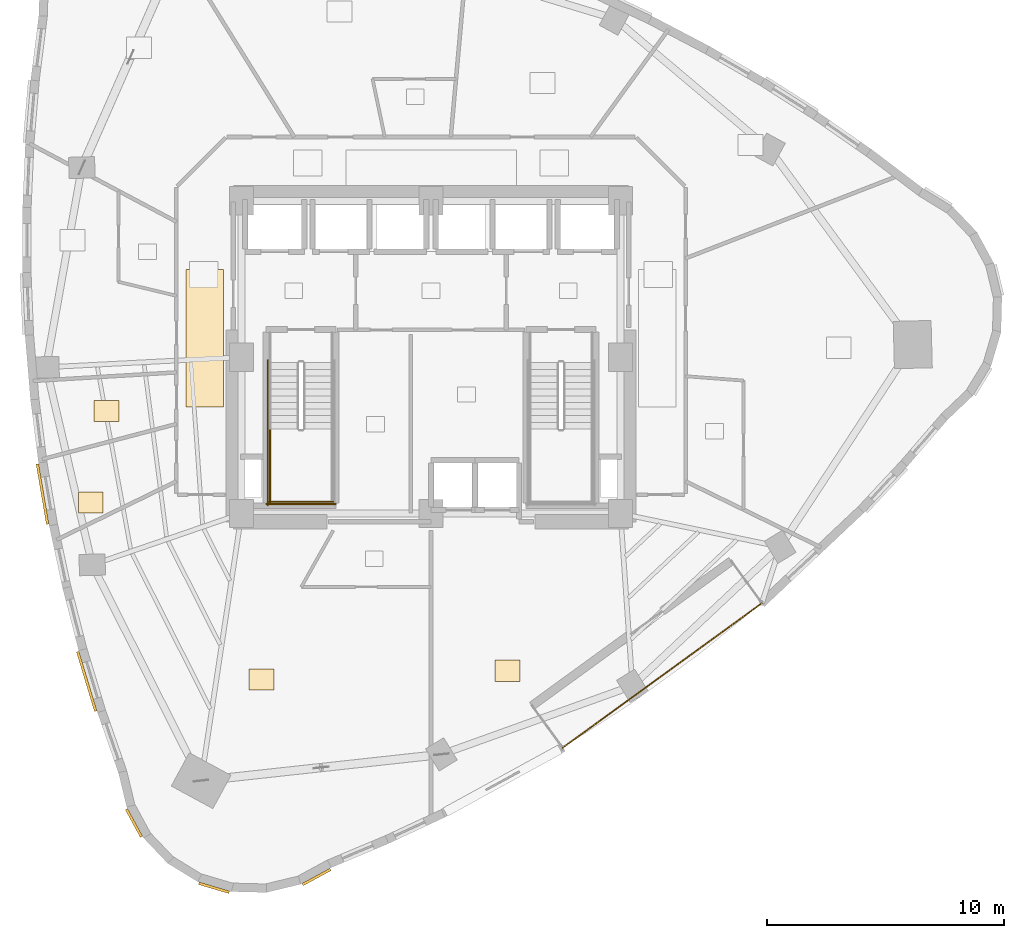
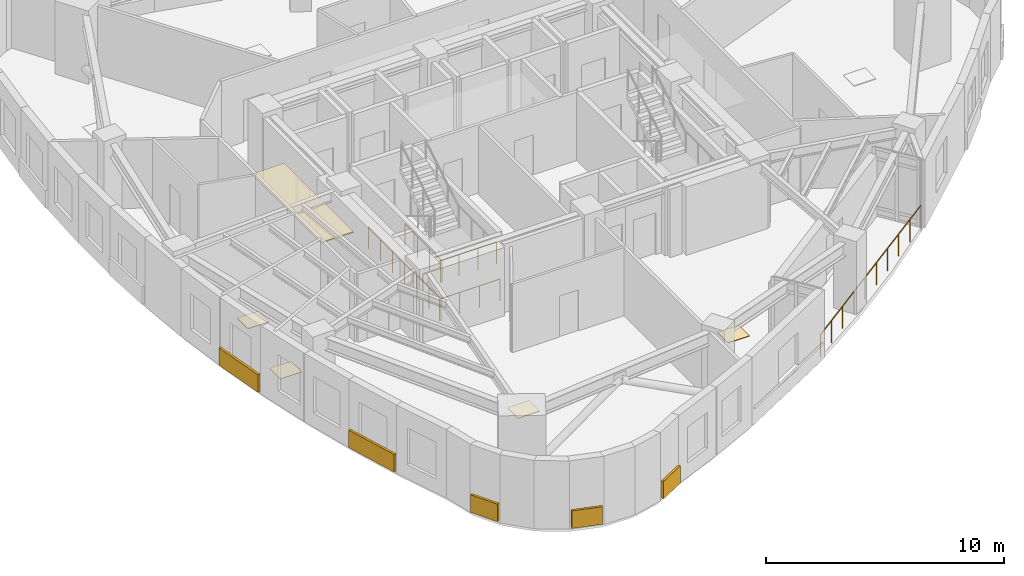
# One storey, part 10 of 12: 10 coverings, 5 railings.
"""IFC4 building model written with IfcOpenShell, lengths in metres."""

import ifcopenshell
import ifcopenshell.guid

model = None  # the IFC model being written
_history = None  # IfcOwnerHistory: only IFC2X3 demands one
_inside = {}  # id of a spatial element -> (the spatial element, [elements in it])
_under = {}  # id of a project, library or spatial element -> (it, [spatial elements below it])
_declared = {}  # id of a project -> (the project, [libraries it declares])
_typed = {}  # id of a type object -> (the type object, [elements of that type])
_made_of = {}  # id of a material, layer set ... -> (it, [elements and type objects made of it])


def new_model(schema):
    """Start an empty IFC model of exactly this schema.

    Asked for "IFC4X3", IfcOpenShell would pick the latest addendum, in which some entities
    have other attributes; the version numbers below select the first issue.
    IFC2X3 requires an IfcOwnerHistory on every rooted entity: one is made here for all.
    """
    global model, _history
    if schema == "IFC4X3":
        model = ifcopenshell.file(schema_version=(4, 3, 0, 0))
    else:
        model = ifcopenshell.file(schema=schema)
    _inside.clear()
    _under.clear()
    _declared.clear()
    _typed.clear()
    _made_of.clear()
    _history = None
    if model.schema == "IFC2X3":
        org = make("IfcOrganization", Name="unknown")
        user = make(
            "IfcPersonAndOrganization",
            ThePerson=make("IfcPerson", FamilyName="unknown"),
            TheOrganization=org,
        )
        app = make(
            "IfcApplication",
            ApplicationDeveloper=org,
            Version="unknown",
            ApplicationFullName="unknown",
            ApplicationIdentifier="unknown",
        )
        _history = make(
            "IfcOwnerHistory",
            OwningUser=user,
            OwningApplication=app,
            ChangeAction="ADDED",
            CreationDate=0,
        )
    return model


def make(cls, **values):
    """One entity of the class cls with the attributes given. An attribute that is None is left unset."""
    return model.create_entity(
        cls, **{name: value for name, value in values.items() if value is not None}
    )


def rooted(cls, **values):
    """An entity with a GlobalId (a new one), such as an element, a storey or a relation."""
    return make(cls, GlobalId=ifcopenshell.guid.new(), OwnerHistory=_history, **values)


def si_unit(unit_type, name, prefix=None):
    """IfcSIUnit, for example si_unit("LENGTHUNIT", "METRE", prefix="MILLI")."""
    return make("IfcSIUnit", UnitType=unit_type, Prefix=prefix, Name=name)


def assignment(units):
    """IfcUnitAssignment: the units of a project."""
    return None if units is None else make("IfcUnitAssignment", Units=units)


def point(xyz):
    """IfcCartesianPoint."""
    return None if xyz is None else make("IfcCartesianPoint", Coordinates=xyz)


def direction(xyz):
    """IfcDirection."""
    return None if xyz is None else make("IfcDirection", DirectionRatios=xyz)


def frame(location, z_axis=None, x_axis=None):
    """IfcAxis2Placement3D, a coordinate frame: its origin and axes. An axis left out is left unset."""
    return make(
        "IfcAxis2Placement3D",
        Location=point(location),
        Axis=direction(z_axis),
        RefDirection=direction(x_axis),
    )


def frame_2d(location, x_axis=None):
    """IfcAxis2Placement2D, a coordinate frame in the plane: its origin and x axis."""
    return make(
        "IfcAxis2Placement2D", Location=point(location), RefDirection=direction(x_axis)
    )


def origin():
    """The frame at (0, 0, 0) with its axes left unset."""
    return frame((0.0, 0.0, 0.0))


def origin_2d():
    """The frame at (0, 0) in the plane with its x axis left unset."""
    return frame_2d((0.0, 0.0))


def place(relative_to, where):
    """IfcLocalPlacement: puts the frame where relative to a parent placement (None: the world)."""
    return make(
        "IfcLocalPlacement", PlacementRelTo=relative_to, RelativePlacement=where
    )


def context(
    kind, dimensions, precision=None, world=None, true_north=None, identifier=None
):
    """IfcGeometricRepresentationContext, for example the 3D "Model" context."""
    return make(
        "IfcGeometricRepresentationContext",
        ContextIdentifier=identifier,
        ContextType=kind,
        CoordinateSpaceDimension=dimensions,
        Precision=precision,
        WorldCoordinateSystem=world,
        TrueNorth=true_north,
    )


def subcontext(parent, identifier, kind, view, scale=None):
    """IfcGeometricRepresentationSubContext, for example "Body" below "Model"."""
    return make(
        "IfcGeometricRepresentationSubContext",
        ContextIdentifier=identifier,
        ContextType=kind,
        ParentContext=parent,
        TargetScale=scale,
        TargetView=view,
    )


def project(units=None, contexts=None):
    """IfcProject with its units and contexts."""
    return rooted(
        "IfcProject",
        Name="project",
        RepresentationContexts=contexts,
        UnitsInContext=assignment(units),
    )


def spatial(cls, under=None, at=None, **own):
    """A site, building, storey or space (cls), placed at a placement, below another one or the project."""
    s = rooted(cls, ObjectPlacement=at, **own)
    if under is not None:
        _under.setdefault(under.id(), (under, []))[1].append(s)
    return s


def profile(cls, at=None, kind="AREA", **sizes):
    """A parametric profile (cls). Its sizes go by their IFC names, for example OverallWidth=200.0."""
    return make(cls, ProfileType=kind, Position=at, **sizes)


def rectangle(**sizes):
    """IfcRectangleProfileDef."""
    return profile("IfcRectangleProfileDef", **sizes)


def circle(**sizes):
    """IfcCircleProfileDef."""
    return profile("IfcCircleProfileDef", **sizes)


def extrude(swept, where, along, depth):
    """IfcExtrudedAreaSolid: the profile swept, set in the frame where, extruded along a direction by depth."""
    return make(
        "IfcExtrudedAreaSolid",
        SweptArea=swept,
        Position=where,
        ExtrudedDirection=direction(along),
        Depth=depth,
    )


def shape(context_of_items, identifier, shape_type, items):
    """IfcShapeRepresentation: the items that make up one representation, for example the "Body"."""
    return make(
        "IfcShapeRepresentation",
        ContextOfItems=context_of_items,
        RepresentationIdentifier=identifier,
        RepresentationType=shape_type,
        Items=items,
    )


def material(Name=None, Category=None):
    """IfcMaterial."""
    return make("IfcMaterial", Name=Name, Category=Category)


def layer(
    of_material, thickness, ventilated=None, Name=None, Category=None, Priority=None
):
    """IfcMaterialLayer: one layer of a wall or slab, of a material (None: an air gap)."""
    return make(
        "IfcMaterialLayer",
        Material=of_material,
        LayerThickness=thickness,
        IsVentilated=ventilated,
        Name=Name,
        Category=Category,
        Priority=Priority,
    )


def layer_set(layers, Name=None):
    """IfcMaterialLayerSet."""
    return make("IfcMaterialLayerSet", MaterialLayers=layers, LayerSetName=Name)


def made_of(thing, what):
    """Note that an element or type object is made of a material, layer set ...; save() writes the relation."""
    if what is not None:
        _made_of.setdefault(what.id(), (what, []))[1].append(thing)
    return thing


def type_object(cls, material=None, **own):
    """A type object (cls), such as IfcWallType, which elements share."""
    return made_of(rooted(cls, **own), material)


def element(
    cls,
    number,
    at=None,
    inside=None,
    cuts=None,
    type_object=None,
    material=None,
    context=None,
    identifier="Body",
    shape_type=None,
    held_by="IfcProductDefinitionShape",
    body=None,
    shapes=None,
    **own,
):
    """One element of the class cls, such as IfcWall. Its Tag is "e" and its number.

    at: its placement. inside: the storey or other place that contains it. cuts: it is an
    opening in that element (IfcRelVoidsElement). A single representation is given by context,
    identifier, shape_type and body (its items); several are given by shapes. held_by: the class
    of the entity that holds the representations. save() writes the other relations.
    """
    e = rooted(cls, Tag="e%d" % number, ObjectPlacement=at, **own)
    if body is not None:
        shapes = [shape(context, identifier, shape_type, body)]
    if shapes is not None:
        e.Representation = make(held_by, Representations=shapes)
    if inside is not None:
        _inside.setdefault(inside.id(), (inside, []))[1].append(e)
    if cuts is not None:
        rooted(
            "IfcRelVoidsElement", RelatingBuildingElement=cuts, RelatedOpeningElement=e
        )
    if type_object is not None:
        _typed.setdefault(type_object.id(), (type_object, []))[1].append(e)
    return made_of(e, material)


def aggregate(whole, parts):
    """IfcRelAggregates: a whole, such as a stair, and the parts it consists of."""
    return rooted("IfcRelAggregates", RelatingObject=whole, RelatedObjects=parts)


def save(model, path):
    """Write the relations noted so far, then the file.

    IfcRelAggregates (storeys below a building ...), IfcRelContainedInSpatialStructure (elements
    in a storey), IfcRelDefinesByType, IfcRelAssociatesMaterial and IfcRelDeclares: one each for
    every whole, place, type object, material and project.
    """
    for whole, parts in _under.values():
        aggregate(whole, parts)
    for where, things in _inside.values():
        rooted(
            "IfcRelContainedInSpatialStructure",
            RelatedElements=things,
            RelatingStructure=where,
        )
    for kind, things in _typed.values():
        rooted("IfcRelDefinesByType", RelatedObjects=things, RelatingType=kind)
    for what, things in _made_of.values():
        rooted("IfcRelAssociatesMaterial", RelatedObjects=things, RelatingMaterial=what)
    for by, libraries in _declared.values():
        rooted("IfcRelDeclares", RelatingContext=by, RelatedDefinitions=libraries)
    model.write(path)


model = new_model("IFC4")

# Units and contexts
model_context = context("Model", 3, precision=1e-05, world=origin(), true_north=direction((0.0, 1.0)))
body_context = subcontext(model_context, "Body", "Model", "MODEL_VIEW")
ifc_project = project(units=[si_unit("LENGTHUNIT", "METRE"), si_unit("AREAUNIT", "SQUARE_METRE"), si_unit("VOLUMEUNIT", "CUBIC_METRE"), si_unit("PLANEANGLEUNIT", "RADIAN"), si_unit("MASSUNIT", "GRAM", prefix="KILO")], contexts=[model_context])

# Site, building, storey
site_placement = place(None, origin())
site = spatial("IfcSite", under=ifc_project, at=site_placement, CompositionType="ELEMENT")
building_placement = place(site_placement, origin())
building = spatial("IfcBuilding", under=site, at=building_placement, Name="Ndelora Gate Hotel", CompositionType="ELEMENT")
storey_placement = place(building_placement, frame((0.0, 0.0, 142.25)))
storey = spatial("IfcBuildingStorey", under=building, at=storey_placement, Name="L35", CompositionType="ELEMENT", Elevation=142.25)

# Coverings
ifc_material_1 = material(Name="Perforated Acoustic Gypsum Board", Category="gypsum")
ifc_layer_1 = layer(ifc_material_1, 0.054931640625)
ifc_layer_set_1 = layer_set([ifc_layer_1], Name="Perforated Acoustic Gypsum Board")
covering_type_1 = type_object("IfcCoveringType", Name="COV-CEIL-AC60", PredefinedType="CEILING", material=ifc_layer_set_1)
covering_1_placement = place(storey_placement, frame((-9.550048828125, 0.800048828125, 2.65234375), z_axis=(0.0, 0.0, 1.0), x_axis=(1.0, 0.0, 0.0)))
element("IfcCovering", 1, at=covering_1_placement, inside=storey, type_object=covering_type_1, Name="L35 Guest Corridor Acoustic Ceiling W", PredefinedType="CEILING", context=body_context, shape_type="SweptSolid", body=[
    extrude(rectangle(XDim=1.580078125, YDim=5.800048828125, at=origin_2d()), origin(), (0.0, 0.0, 1.0), 0.054931640625),
])
ifc_material_2 = material(Name="Terracotta Fired Clay Brick Slip Cladding", Category="masonry")
ifc_layer_2 = layer(ifc_material_2, 0.110107421875)
ifc_layer_set_2 = layer_set([ifc_layer_2], Name="Terracotta Fired Clay Brick Slip Cladding")
covering_type_2 = type_object("IfcCoveringType", Name="COV-CLAD-BRK", PredefinedType="CLADDING", material=ifc_layer_set_2)
covering_2_placement = place(storey_placement, frame((-16.406494140625, -5.77978515625, 0.10009765625), z_axis=(0.0, 0.0, 1.0), x_axis=(-0.167629126969, 0.985850128464, 0.0)))
element("IfcCovering", 2, at=covering_2_placement, inside=storey, type_object=covering_type_2, Name="L35 Rounded-Corner Brick Cladding Band 16", PredefinedType="CLADDING", context=body_context, shape_type="SweptSolid", body=[
    extrude(rectangle(XDim=2.583984375, YDim=0.110107421875, at=origin_2d()), origin(), (0.0, 0.0, 1.0), 0.89990234375),
])
covering_3_placement = place(storey_placement, frame((-14.540283203125, -13.694091796875, 0.10009765625), z_axis=(0.0, 0.0, 1.0), x_axis=(-0.289533008618, 0.957168029617, 0.0)))
element("IfcCovering", 3, at=covering_3_placement, inside=storey, type_object=covering_type_2, Name="L35 Rounded-Corner Brick Cladding Band 19", PredefinedType="CLADDING", context=body_context, shape_type="SweptSolid", body=[
    extrude(rectangle(XDim=2.6279296875, YDim=0.110107421875, at=origin_2d()), origin(), (0.0, 0.0, 1.0), 0.89990234375),
])
for number, where, z_axis, x_axis, name in (
    (4, (-12.54638671875, -19.6689453125, 0.10009765625), (0.0, 0.0, 1.0), (-0.47715876026, 0.878817112662, 0.0), "L35 Rounded-Corner Brick Cladding Band 22"),
    (5, (-9.164306640625, -22.407958984375, 0.10009765625), (0.0, 0.0, 1.0), (-0.958819734868, 0.284015344704, 0.0), "L35 Rounded-Corner Brick Cladding Band 25"),
    (6, (-4.835693359375, -21.952880859375, 0.10009765625), (0.0, 0.0, 1.0), (0.878817112662, 0.47715876026, 0.0), "L35 Rounded-Corner Brick Cladding Band 28"),
):
    element("IfcCovering", number, at=place(storey_placement, frame(where, z_axis=z_axis, x_axis=x_axis)), inside=storey, type_object=covering_type_2, Name=name, PredefinedType="CLADDING", context=body_context, shape_type="SweptSolid", body=[
        extrude(rectangle(XDim=1.3359375, YDim=0.110107421875, at=origin_2d()), origin(), (0.0, 0.0, 1.0), 0.89990234375),
    ])
ifc_material_3 = material(Name="Engineered Highland Oak Parquet", Category="wood")
ifc_layer_3 = layer(ifc_material_3, 0.030029296875)
ifc_layer_set_3 = layer_set([ifc_layer_3], Name="Engineered Highland Oak Parquet")
covering_type_3 = type_object("IfcCoveringType", Name="COV-FLR-PARQ", PredefinedType="FLOORING", material=ifc_layer_set_3)
for number, where, z_axis, x_axis, name in (
    (7, (-7.1591796875, -13.614990234375, 0.0), (0.0, 0.0, 1.0), (1.0, 0.0, 0.0), "L35 Ambassador Corner Suite 3801 Oak Parquet Flooring"),
    (8, (3.22509765625, -13.24462890625, 0.0), (0.0, 0.0, 1.0), (1.0, 0.0, 0.0), "L35 Sky Garden Tea Dining Room Oak Parquet Flooring"),
    (9, (-13.711181640625, -2.27294921875, 0.0), (0.0, 0.0, 1.0), (1.0, 0.0, 0.0), "L35 Housekeeping and Linen Room Oak Parquet Flooring"),
    (10, (-14.37158203125, -6.13720703125, 0.0), (0.0, 0.0, 1.0), (1.0, 0.0, 0.0), "L35 Accessible WC Oak Parquet Flooring"),
):
    element("IfcCovering", number, at=place(storey_placement, frame(where, z_axis=z_axis, x_axis=x_axis)), inside=storey, type_object=covering_type_3, Name=name, PredefinedType="FLOORING", context=body_context, shape_type="SweptSolid", body=[
        extrude(rectangle(XDim=1.050048828125, YDim=0.89990234375, at=origin_2d()), origin(), (0.0, 0.0, 1.0), 0.030029296875),
    ])

# Railings
ifc_material_4 = material(Name="Laminated Safety Glass and Bronze Top Rail", Category="glass")
ifc_layer_4 = layer(ifc_material_4, 0.070068359375)
ifc_layer_set_4 = layer_set([ifc_layer_4], Name="Laminated Safety Glass and Bronze Top Rail")
railing_type_1 = type_object("IfcRailingType", Name="RL-BAL-1150", PredefinedType="BALUSTRADE", material=ifc_layer_set_4)
railing_1_placement = place(storey_placement, frame((5.5595703125, -16.498779296875, 0.0)))
element("IfcRailing", 11, at=railing_1_placement, inside=storey, type_object=railing_type_1, Name="L35 Sky-Garden Loggia Terrace Balustrade", PredefinedType="BALUSTRADE", context=body_context, shape_type="SweptSolid", body=[
    extrude(circle(Radius=0.02392578125, at=origin_2d()), frame((0.0, 0.0, 1.1357421875), z_axis=(0.809015154073, 0.587787785243, 0.0), x_axis=(-0.587787785243, 0.809015154073, 0.0)), (0.0, 0.0, 1.0), 10.400146484375),
    extrude(circle(Radius=0.02099609375, at=origin_2d()), origin(), (0.0, 0.0, 1.0), 1.11181640625),
    extrude(circle(Radius=0.02099609375, at=origin_2d()), frame((0.934814453125, 0.67919921875, 0.0)), (0.0, 0.0, 1.0), 1.11181640625),
    extrude(circle(Radius=0.02099609375, at=origin_2d()), frame((1.86962890625, 1.3583984375, 0.0)), (0.0, 0.0, 1.0), 1.11181640625),
    extrude(circle(Radius=0.02099609375, at=origin_2d()), frame((2.8046875, 2.03759765625, 0.0)), (0.0, 0.0, 1.0), 1.11181640625),
    extrude(circle(Radius=0.02099609375, at=origin_2d()), frame((3.739501953125, 2.716796875, 0.0)), (0.0, 0.0, 1.0), 1.11181640625),
    extrude(circle(Radius=0.02099609375, at=origin_2d()), frame((4.67431640625, 3.396240234375, 0.0)), (0.0, 0.0, 1.0), 1.11181640625),
    extrude(circle(Radius=0.02099609375, at=origin_2d()), frame((5.609130859375, 4.075439453125, 0.0)), (0.0, 0.0, 1.0), 1.11181640625),
    extrude(circle(Radius=0.02099609375, at=origin_2d()), frame((6.544189453125, 4.754638671875, 0.0)), (0.0, 0.0, 1.0), 1.11181640625),
    extrude(circle(Radius=0.02099609375, at=origin_2d()), frame((7.47900390625, 5.433837890625, 0.0)), (0.0, 0.0, 1.0), 1.11181640625),
    extrude(circle(Radius=0.02099609375, at=origin_2d()), frame((8.413818359375, 6.113037109375, 0.0)), (0.0, 0.0, 1.0), 1.11181640625),
])
ifc_material_5 = material(Name="Painted Galvanized Steel Balustrade", Category="steel")
ifc_layer_5 = layer(ifc_material_5, 0.06005859375)
ifc_layer_set_5 = layer_set([ifc_layer_5], Name="Painted Galvanized Steel Balustrade")
railing_type_2 = type_object("IfcRailingType", Name="RL-STAIR-GD", PredefinedType="GUARDRAIL", material=ifc_layer_set_5)
railing_2_placement = place(storey_placement, frame((-6.800048828125, -3.030029296875, 1.875)))
element("IfcRailing", 12, at=railing_2_placement, inside=storey, type_object=railing_type_2, Name="L35 ST4 stair guard 3", PredefinedType="GUARDRAIL", context=body_context, shape_type="SweptSolid", body=[
    extrude(circle(Radius=0.02392578125, at=origin_2d()), frame((0.0, 0.0, 1.10595703125), z_axis=(0.0, -1.0, 0.0), x_axis=(1.0, 0.0, 0.0)), (0.0, 0.0, 1.0), 3.119873046875),
    extrude(circle(Radius=0.02099609375, at=origin_2d()), origin(), (0.0, 0.0, 1.0), 1.081787109375),
    extrude(circle(Radius=0.02099609375, at=origin_2d()), frame((0.0, -1.0400390625, 0.0)), (0.0, 0.0, 1.0), 1.081787109375),
    extrude(circle(Radius=0.02099609375, at=origin_2d()), frame((0.0, -2.079833984375, 0.0)), (0.0, 0.0, 1.0), 1.081787109375),
    extrude(circle(Radius=0.02099609375, at=origin_2d()), frame((0.0, -3.119873046875, 0.0)), (0.0, 0.0, 1.0), 1.081787109375),
])
railing_3_placement = place(storey_placement, frame((-6.85009765625, -6.10009765625, 1.875)))
element("IfcRailing", 13, at=railing_3_placement, inside=storey, type_object=railing_type_2, Name="L35 ST4 stair guard 5", PredefinedType="GUARDRAIL", context=body_context, shape_type="SweptSolid", body=[
    extrude(circle(Radius=0.02392578125, at=origin_2d()), frame((0.0, 0.0, 1.10595703125), z_axis=(1.0, 0.0, 0.0), x_axis=(0.0, 1.0, 0.0)), (0.0, 0.0, 1.0), 2.72021484375),
    extrude(circle(Radius=0.02099609375, at=origin_2d()), origin(), (0.0, 0.0, 1.0), 1.081787109375),
    extrude(circle(Radius=0.02099609375, at=origin_2d()), frame((0.90673828125, 0.0, 0.0)), (0.0, 0.0, 1.0), 1.081787109375),
    extrude(circle(Radius=0.02099609375, at=origin_2d()), frame((1.8134765625, 0.0, 0.0)), (0.0, 0.0, 1.0), 1.081787109375),
    extrude(circle(Radius=0.02099609375, at=origin_2d()), frame((2.72021484375, 0.0, 0.0)), (0.0, 0.0, 1.0), 1.081787109375),
])
railing_4_placement = place(storey_placement, frame((-6.89990234375, -0.1298828125, 0.0)))
element("IfcRailing", 14, at=railing_4_placement, inside=storey, type_object=railing_type_2, Name="L35 ST4 stair guard 10", PredefinedType="GUARDRAIL", context=body_context, shape_type="SweptSolid", body=[
    extrude(circle(Radius=0.02392578125, at=origin_2d()), frame((0.0, 0.0, 1.10595703125), z_axis=(0.0, -1.0, 0.0), x_axis=(1.0, 0.0, 0.0)), (0.0, 0.0, 1.0), 6.1201171875),
    extrude(circle(Radius=0.02099609375, at=origin_2d()), origin(), (0.0, 0.0, 1.0), 1.081787109375),
    extrude(circle(Radius=0.02099609375, at=origin_2d()), frame((0.0, -1.02001953125, 0.0)), (0.0, 0.0, 1.0), 1.081787109375),
    extrude(circle(Radius=0.02099609375, at=origin_2d()), frame((0.0, -2.0400390625, 0.0)), (0.0, 0.0, 1.0), 1.081787109375),
    extrude(circle(Radius=0.02099609375, at=origin_2d()), frame((0.0, -3.06005859375, 0.0)), (0.0, 0.0, 1.0), 1.081787109375),
    extrude(circle(Radius=0.02099609375, at=origin_2d()), frame((0.0, -4.080078125, 0.0)), (0.0, 0.0, 1.0), 1.081787109375),
    extrude(circle(Radius=0.02099609375, at=origin_2d()), frame((0.0, -5.10009765625, 0.0)), (0.0, 0.0, 1.0), 1.081787109375),
    extrude(circle(Radius=0.02099609375, at=origin_2d()), frame((0.0, -6.1201171875, 0.0)), (0.0, 0.0, 1.0), 1.081787109375),
])
railing_5_placement = place(storey_placement, frame((-6.949951171875, -6.199951171875, 0.0)))
element("IfcRailing", 15, at=railing_5_placement, inside=storey, type_object=railing_type_2, Name="L35 ST4 stair guard 12", PredefinedType="GUARDRAIL", context=body_context, shape_type="SweptSolid", body=[
    extrude(circle(Radius=0.02392578125, at=origin_2d()), frame((0.0, 0.0, 1.10595703125), z_axis=(1.0, 0.0, 0.0), x_axis=(0.0, 1.0, 0.0)), (0.0, 0.0, 1.0), 2.919921875),
    extrude(circle(Radius=0.02099609375, at=origin_2d()), origin(), (0.0, 0.0, 1.0), 1.081787109375),
    extrude(circle(Radius=0.02099609375, at=origin_2d()), frame((0.973388671875, 0.0, 0.0)), (0.0, 0.0, 1.0), 1.081787109375),
    extrude(circle(Radius=0.02099609375, at=origin_2d()), frame((1.946533203125, 0.0, 0.0)), (0.0, 0.0, 1.0), 1.081787109375),
    extrude(circle(Radius=0.02099609375, at=origin_2d()), frame((2.919921875, 0.0, 0.0)), (0.0, 0.0, 1.0), 1.081787109375),
])

save(model, "model.ifc")
